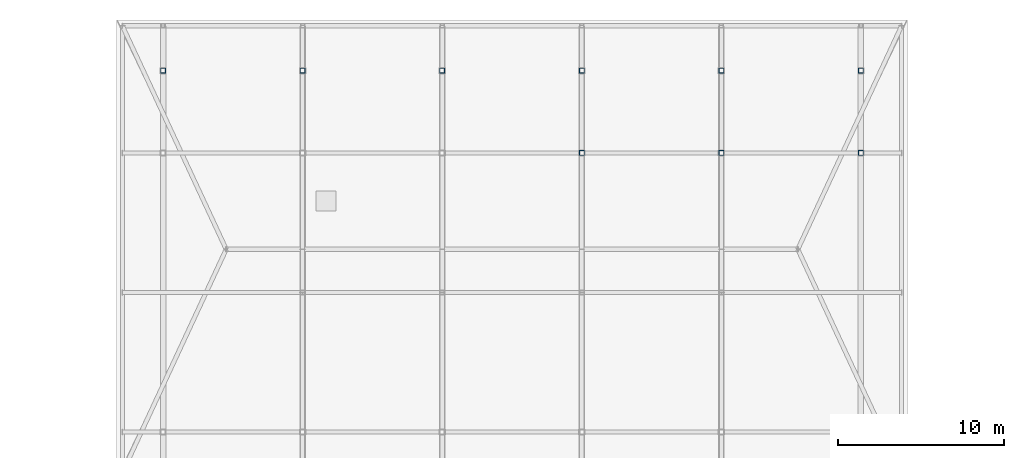
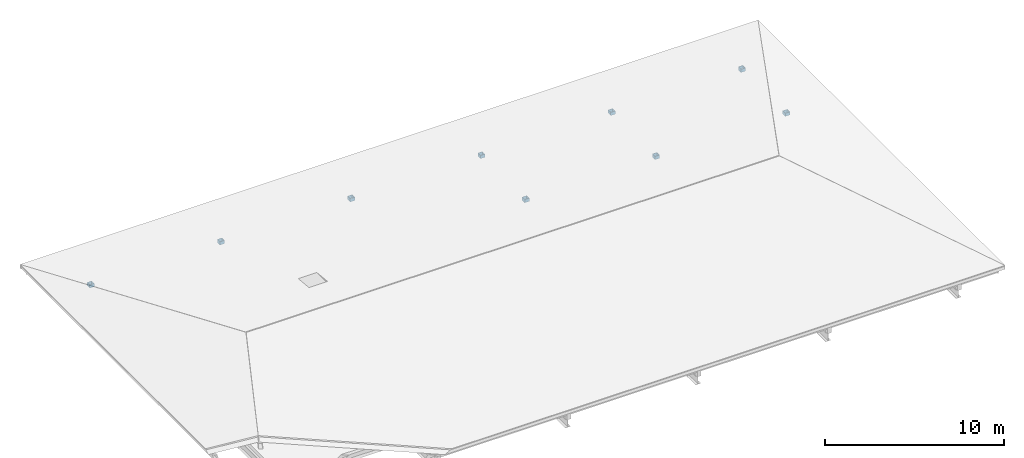
# One storey, part 2 of 13: 9 columns.
"""IFC4 building model written with IfcOpenShell, lengths in metres."""

from ifc_helpers import new_model, si_unit, direction, frame, origin, origin_2d, place, context, subcontext, project, spatial, hollow_rectangle, extrude, material, material_profile, profile_set, type_object, element, save


model = new_model("IFC4")

# Units and contexts
model_context = context("Model", 3, precision=1e-05, world=origin(), true_north=direction((0.0, 1.0)))
body_context = subcontext(model_context, "Body", "Model", "MODEL_VIEW")
ifc_project = project(units=[si_unit("LENGTHUNIT", "METRE"), si_unit("AREAUNIT", "SQUARE_METRE"), si_unit("VOLUMEUNIT", "CUBIC_METRE"), si_unit("PLANEANGLEUNIT", "RADIAN"), si_unit("MASSUNIT", "GRAM", prefix="KILO")], contexts=[model_context])

# Site, building, storey
site_placement = place(None, origin())
site = spatial("IfcSite", under=ifc_project, at=site_placement, CompositionType="ELEMENT")
building_placement = place(site_placement, origin())
building = spatial("IfcBuilding", under=site, at=building_placement, Name="Cumbredor Promenade Congress Hotel", CompositionType="ELEMENT")
storey_placement = place(building_placement, frame((0.0, 0.0, 38.639892578125)))
storey = spatial("IfcBuildingStorey", under=building, at=storey_placement, Name="RF", CompositionType="ELEMENT", Elevation=38.639892578125)

# Columns
ifc_material = material(Name="Steel ASTM A500 Grade C", Category="steel")
ifc_material_profile = material_profile(ifc_material, hollow_rectangle(XDim=0.300048828125, YDim=0.300048828125, WallThickness=0.01611328125, at=origin_2d()), Name="HSS 300x300x16")
ifc_profile_set = profile_set([ifc_material_profile], Name="Steel ASTM A500 Grade C")
column_type = type_object("IfcColumnType", Name="COL-STL-HSS300", PredefinedType="COLUMN", material=ifc_profile_set)
for number, where, z_axis, x_axis, name in (
    (1, (8.39990234375, 114.14990234375, 0.005126953125), (0.0, 0.0, 1.0), (1.0, 0.0, 0.0), "Hotel Roof Bearing Post X8N2"),
    (2, (16.800048828125, 114.14990234375, 0.005126953125), (0.0, 0.0, 1.0), (1.0, 0.0, 0.0), "Hotel Roof Bearing Post X16N2"),
    (3, (25.199951171875, 114.14990234375, 0.005126953125), (0.0, 0.0, 1.0), (1.0, 0.0, 0.0), "Hotel Roof Bearing Post X25N2"),
    (4, (33.60009765625, 109.199951171875, 0.005126953125), (0.0, 0.0, 1.0), (1.0, 0.0, 0.0), "Hotel Roof Bearing Post X33N"),
    (5, (33.60009765625, 114.14990234375, 0.005126953125), (0.0, 0.0, 1.0), (1.0, 0.0, 0.0), "Hotel Roof Bearing Post X33N2"),
    (6, (42.0, 109.199951171875, 0.005126953125), (0.0, 0.0, 1.0), (1.0, 0.0, 0.0), "Hotel Roof Bearing Post X42N"),
    (7, (42.0, 114.14990234375, 0.005126953125), (0.0, 0.0, 1.0), (1.0, 0.0, 0.0), "Hotel Roof Bearing Post X42N2"),
    (8, (50.39990234375, 109.199951171875, 0.005126953125), (0.0, 0.0, 1.0), (1.0, 0.0, 0.0), "Hotel Roof Bearing Post X50N"),
    (9, (50.39990234375, 114.14990234375, 0.005126953125), (0.0, 0.0, 1.0), (1.0, 0.0, 0.0), "Hotel Roof Bearing Post X50N2"),
):
    element("IfcColumn", number, at=place(storey_placement, frame(where, z_axis=z_axis, x_axis=x_axis)), inside=storey, type_object=column_type, Name=name, PredefinedType="COLUMN", context=body_context, shape_type="SweptSolid", body=[
        extrude(hollow_rectangle(XDim=0.300048828125, YDim=0.300048828125, WallThickness=0.01611328125, at=origin_2d()), origin(), (0.0, 0.0, 1.0), 0.215087890625),
    ])

save(model, "model.ifc")
